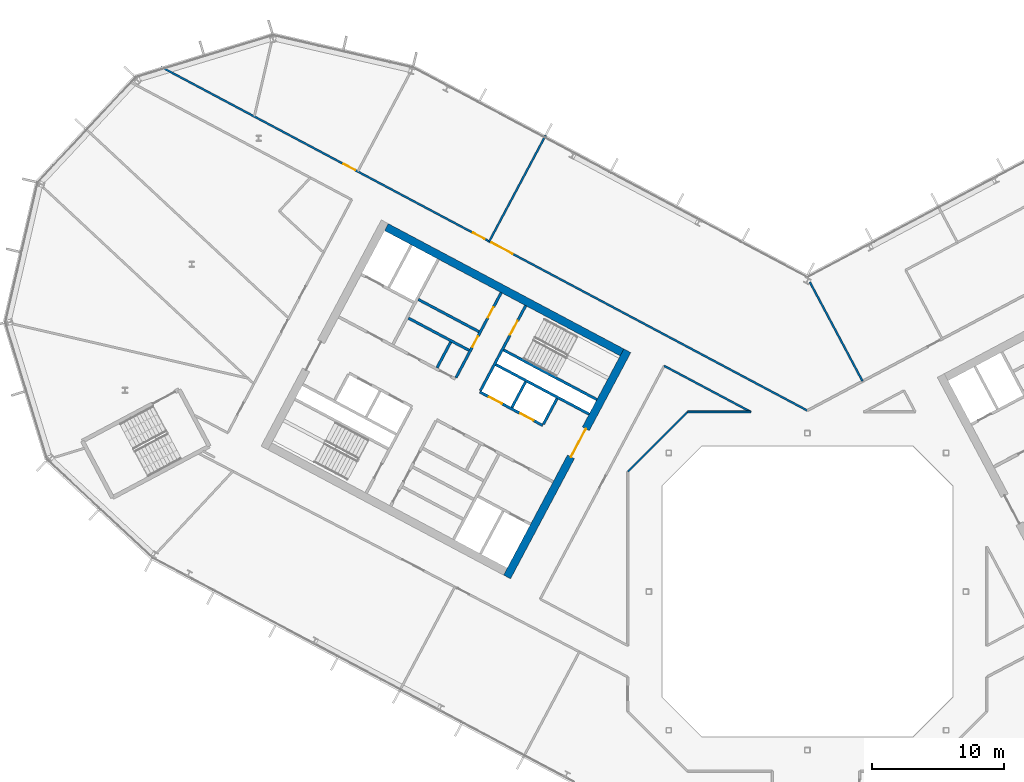
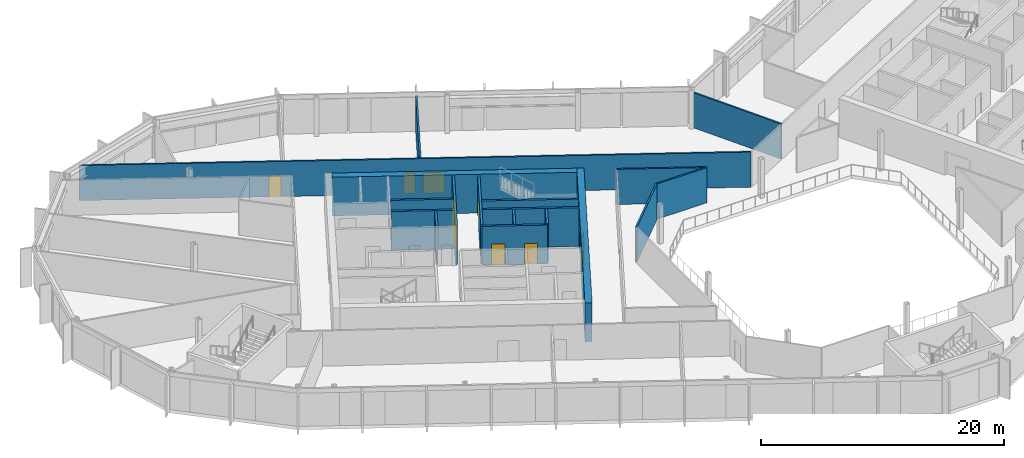
# One storey, part 14 of 26: 18 walls, 9 doors, 9 openings.
"""IFC4 building model written with IfcOpenShell, lengths in metres."""

import ifcopenshell
import ifcopenshell.guid

model = None  # the IFC model being written
_history = None  # IfcOwnerHistory: only IFC2X3 demands one
_inside = {}  # id of a spatial element -> (the spatial element, [elements in it])
_under = {}  # id of a project, library or spatial element -> (it, [spatial elements below it])
_declared = {}  # id of a project -> (the project, [libraries it declares])
_typed = {}  # id of a type object -> (the type object, [elements of that type])
_made_of = {}  # id of a material, layer set ... -> (it, [elements and type objects made of it])


def new_model(schema):
    """Start an empty IFC model of exactly this schema.

    Asked for "IFC4X3", IfcOpenShell would pick the latest addendum, in which some entities
    have other attributes; the version numbers below select the first issue.
    IFC2X3 requires an IfcOwnerHistory on every rooted entity: one is made here for all.
    """
    global model, _history
    if schema == "IFC4X3":
        model = ifcopenshell.file(schema_version=(4, 3, 0, 0))
    else:
        model = ifcopenshell.file(schema=schema)
    _inside.clear()
    _under.clear()
    _declared.clear()
    _typed.clear()
    _made_of.clear()
    _history = None
    if model.schema == "IFC2X3":
        org = make("IfcOrganization", Name="unknown")
        user = make(
            "IfcPersonAndOrganization",
            ThePerson=make("IfcPerson", FamilyName="unknown"),
            TheOrganization=org,
        )
        app = make(
            "IfcApplication",
            ApplicationDeveloper=org,
            Version="unknown",
            ApplicationFullName="unknown",
            ApplicationIdentifier="unknown",
        )
        _history = make(
            "IfcOwnerHistory",
            OwningUser=user,
            OwningApplication=app,
            ChangeAction="ADDED",
            CreationDate=0,
        )
    return model


def make(cls, **values):
    """One entity of the class cls with the attributes given. An attribute that is None is left unset."""
    return model.create_entity(
        cls, **{name: value for name, value in values.items() if value is not None}
    )


def rooted(cls, **values):
    """An entity with a GlobalId (a new one), such as an element, a storey or a relation."""
    return make(cls, GlobalId=ifcopenshell.guid.new(), OwnerHistory=_history, **values)


def si_unit(unit_type, name, prefix=None):
    """IfcSIUnit, for example si_unit("LENGTHUNIT", "METRE", prefix="MILLI")."""
    return make("IfcSIUnit", UnitType=unit_type, Prefix=prefix, Name=name)


def assignment(units):
    """IfcUnitAssignment: the units of a project."""
    return None if units is None else make("IfcUnitAssignment", Units=units)


def point(xyz):
    """IfcCartesianPoint."""
    return None if xyz is None else make("IfcCartesianPoint", Coordinates=xyz)


def direction(xyz):
    """IfcDirection."""
    return None if xyz is None else make("IfcDirection", DirectionRatios=xyz)


def frame(location, z_axis=None, x_axis=None):
    """IfcAxis2Placement3D, a coordinate frame: its origin and axes. An axis left out is left unset."""
    return make(
        "IfcAxis2Placement3D",
        Location=point(location),
        Axis=direction(z_axis),
        RefDirection=direction(x_axis),
    )


def frame_2d(location, x_axis=None):
    """IfcAxis2Placement2D, a coordinate frame in the plane: its origin and x axis."""
    return make(
        "IfcAxis2Placement2D", Location=point(location), RefDirection=direction(x_axis)
    )


def origin():
    """The frame at (0, 0, 0) with its axes left unset."""
    return frame((0.0, 0.0, 0.0))


def place(relative_to, where):
    """IfcLocalPlacement: puts the frame where relative to a parent placement (None: the world)."""
    return make(
        "IfcLocalPlacement", PlacementRelTo=relative_to, RelativePlacement=where
    )


def context(
    kind, dimensions, precision=None, world=None, true_north=None, identifier=None
):
    """IfcGeometricRepresentationContext, for example the 3D "Model" context."""
    return make(
        "IfcGeometricRepresentationContext",
        ContextIdentifier=identifier,
        ContextType=kind,
        CoordinateSpaceDimension=dimensions,
        Precision=precision,
        WorldCoordinateSystem=world,
        TrueNorth=true_north,
    )


def subcontext(parent, identifier, kind, view, scale=None):
    """IfcGeometricRepresentationSubContext, for example "Body" below "Model"."""
    return make(
        "IfcGeometricRepresentationSubContext",
        ContextIdentifier=identifier,
        ContextType=kind,
        ParentContext=parent,
        TargetScale=scale,
        TargetView=view,
    )


def project(units=None, contexts=None):
    """IfcProject with its units and contexts."""
    return rooted(
        "IfcProject",
        Name="project",
        RepresentationContexts=contexts,
        UnitsInContext=assignment(units),
    )


def spatial(cls, under=None, at=None, **own):
    """A site, building, storey or space (cls), placed at a placement, below another one or the project."""
    s = rooted(cls, ObjectPlacement=at, **own)
    if under is not None:
        _under.setdefault(under.id(), (under, []))[1].append(s)
    return s


def profile(cls, at=None, kind="AREA", **sizes):
    """A parametric profile (cls). Its sizes go by their IFC names, for example OverallWidth=200.0."""
    return make(cls, ProfileType=kind, Position=at, **sizes)


def rectangle(**sizes):
    """IfcRectangleProfileDef."""
    return profile("IfcRectangleProfileDef", **sizes)


def extrude(swept, where, along, depth):
    """IfcExtrudedAreaSolid: the profile swept, set in the frame where, extruded along a direction by depth."""
    return make(
        "IfcExtrudedAreaSolid",
        SweptArea=swept,
        Position=where,
        ExtrudedDirection=direction(along),
        Depth=depth,
    )


def shape(context_of_items, identifier, shape_type, items):
    """IfcShapeRepresentation: the items that make up one representation, for example the "Body"."""
    return make(
        "IfcShapeRepresentation",
        ContextOfItems=context_of_items,
        RepresentationIdentifier=identifier,
        RepresentationType=shape_type,
        Items=items,
    )


def material(Name=None, Category=None):
    """IfcMaterial."""
    return make("IfcMaterial", Name=Name, Category=Category)


def layer(
    of_material, thickness, ventilated=None, Name=None, Category=None, Priority=None
):
    """IfcMaterialLayer: one layer of a wall or slab, of a material (None: an air gap)."""
    return make(
        "IfcMaterialLayer",
        Material=of_material,
        LayerThickness=thickness,
        IsVentilated=ventilated,
        Name=Name,
        Category=Category,
        Priority=Priority,
    )


def layer_set(layers, Name=None):
    """IfcMaterialLayerSet."""
    return make("IfcMaterialLayerSet", MaterialLayers=layers, LayerSetName=Name)


def made_of(thing, what):
    """Note that an element or type object is made of a material, layer set ...; save() writes the relation."""
    if what is not None:
        _made_of.setdefault(what.id(), (what, []))[1].append(thing)
    return thing


def type_object(cls, material=None, **own):
    """A type object (cls), such as IfcWallType, which elements share."""
    return made_of(rooted(cls, **own), material)


def element(
    cls,
    number,
    at=None,
    inside=None,
    cuts=None,
    type_object=None,
    material=None,
    context=None,
    identifier="Body",
    shape_type=None,
    held_by="IfcProductDefinitionShape",
    body=None,
    shapes=None,
    **own,
):
    """One element of the class cls, such as IfcWall. Its Tag is "e" and its number.

    at: its placement. inside: the storey or other place that contains it. cuts: it is an
    opening in that element (IfcRelVoidsElement). A single representation is given by context,
    identifier, shape_type and body (its items); several are given by shapes. held_by: the class
    of the entity that holds the representations. save() writes the other relations.
    """
    e = rooted(cls, Tag="e%d" % number, ObjectPlacement=at, **own)
    if body is not None:
        shapes = [shape(context, identifier, shape_type, body)]
    if shapes is not None:
        e.Representation = make(held_by, Representations=shapes)
    if inside is not None:
        _inside.setdefault(inside.id(), (inside, []))[1].append(e)
    if cuts is not None:
        rooted(
            "IfcRelVoidsElement", RelatingBuildingElement=cuts, RelatedOpeningElement=e
        )
    if type_object is not None:
        _typed.setdefault(type_object.id(), (type_object, []))[1].append(e)
    return made_of(e, material)


def fill(opening, filler):
    """IfcRelFillsElement: the door or window that sits in an opening."""
    return rooted(
        "IfcRelFillsElement",
        RelatingOpeningElement=opening,
        RelatedBuildingElement=filler,
    )


def aggregate(whole, parts):
    """IfcRelAggregates: a whole, such as a stair, and the parts it consists of."""
    return rooted("IfcRelAggregates", RelatingObject=whole, RelatedObjects=parts)


def save(model, path):
    """Write the relations noted so far, then the file.

    IfcRelAggregates (storeys below a building ...), IfcRelContainedInSpatialStructure (elements
    in a storey), IfcRelDefinesByType, IfcRelAssociatesMaterial and IfcRelDeclares: one each for
    every whole, place, type object, material and project.
    """
    for whole, parts in _under.values():
        aggregate(whole, parts)
    for where, things in _inside.values():
        rooted(
            "IfcRelContainedInSpatialStructure",
            RelatedElements=things,
            RelatingStructure=where,
        )
    for kind, things in _typed.values():
        rooted("IfcRelDefinesByType", RelatedObjects=things, RelatingType=kind)
    for what, things in _made_of.values():
        rooted("IfcRelAssociatesMaterial", RelatedObjects=things, RelatingMaterial=what)
    for by, libraries in _declared.values():
        rooted("IfcRelDeclares", RelatingContext=by, RelatedDefinitions=libraries)
    model.write(path)


model = new_model("IFC4")

# Units and contexts
model_context = context("Model", 3, precision=1e-05, world=origin(), true_north=direction((0.0, 1.0)))
body_context = subcontext(model_context, "Body", "Model", "MODEL_VIEW")
ifc_project = project(units=[si_unit("LENGTHUNIT", "METRE"), si_unit("AREAUNIT", "SQUARE_METRE"), si_unit("VOLUMEUNIT", "CUBIC_METRE"), si_unit("PLANEANGLEUNIT", "RADIAN"), si_unit("MASSUNIT", "GRAM", prefix="KILO")], contexts=[model_context])

# Site, building, storey
site_placement = place(None, origin())
site = spatial("IfcSite", under=ifc_project, at=site_placement, CompositionType="ELEMENT")
building_placement = place(site_placement, origin())
building = spatial("IfcBuilding", under=site, at=building_placement, Name="Cormorant Relay Tower", CompositionType="ELEMENT")
storey_placement = place(building_placement, frame((0.0, 0.0, 220.800048828125)))
storey = spatial("IfcBuildingStorey", under=building, at=storey_placement, Name="L48", CompositionType="ELEMENT", Elevation=220.800048828125)

# Walls
ifc_material_1 = material(Name="Concrete 40 MPa", Category="concrete")
ifc_layer_1 = layer(ifc_material_1, 0.199951171875)
ifc_layer_set_1 = layer_set([ifc_layer_1], Name="Core internal wall 200")
wall_type_1 = type_object("IfcWallType", Name="Core internal wall 200", PredefinedType="SOLIDWALL", material=ifc_layer_set_1)
for number, where, z_axis, x_axis, name in (
    (1, (-21.34375, 15.87890625, 0.0), (0.0, 0.0, 1.0), (-0.4694473164, -0.882960484464, 0.0), "L48 core A shaft and room wall"),
    (2, (-27.01220703125, 18.892822265625, 0.0), (0.0, 0.0, 1.0), (-0.4694473164, -0.882960484464, 0.0), "L48 core A shaft and room wall"),
):
    element("IfcWall", number, at=place(storey_placement, frame(where, z_axis=z_axis, x_axis=x_axis)), inside=storey, type_object=wall_type_1, Name=name, PredefinedType="SOLIDWALL", context=body_context, shape_type="SweptSolid", body=[
        extrude(rectangle(XDim=2.199951171875, YDim=0.199951171875, at=frame_2d((1.10009765625, 0.0))), origin(), (0.0, 0.0, 1.0), 3.89990234375),
    ])
wall_1_placement = place(storey_placement, frame((-24.8720703125, 19.680419921875, 0.0), z_axis=(0.0, 0.0, 1.0), x_axis=(-0.882953967957, 0.469459572775, 0.0)))
element("IfcWall", 3, at=wall_1_placement, inside=storey, type_object=wall_type_1, Name="L48 core A shaft and room wall", PredefinedType="SOLIDWALL", context=body_context, shape_type="SweptSolid", body=[
    extrude(rectangle(XDim=5.199951171875, YDim=0.199951171875, at=frame_2d((2.60009765625, 0.0))), origin(), (0.0, 0.0, 1.0), 3.89990234375),
])
ifc_material_2 = material(Name="Concrete 50 MPa", Category="concrete")
ifc_layer_2 = layer(ifc_material_2, 0.199951171875)
ifc_layer_set_2 = layer_set([ifc_layer_2], Name="Core shaft wall 200")
wall_type_2 = type_object("IfcWallType", Name="Core shaft wall 200", PredefinedType="SHEAR", material=ifc_layer_set_2)
wall_2_placement = place(storey_placement, frame((-18.959716796875, 14.611328125, 0.0), z_axis=(0.0, 0.0, 1.0), x_axis=(-0.4694473164, -0.882960484464, 0.0)))
element("IfcWall", 4, at=wall_2_placement, inside=storey, type_object=wall_type_2, Name="L48 core A shaft wall", PredefinedType="SHEAR", context=body_context, shape_type="SweptSolid", body=[
    extrude(rectangle(XDim=2.199951171875, YDim=0.199951171875, at=frame_2d((1.10009765625, 0.0))), origin(), (0.0, 0.0, 1.0), 3.89990234375),
])

# Wall, opening, door
wall_3_placement = place(storey_placement, frame((-21.333251953125, 21.6494140625, 0.0), z_axis=(0.0, 0.0, 1.0), x_axis=(-0.469494272526, -0.882935517501, 0.0)))
wall_3 = element("IfcWall", 5, at=wall_3_placement, inside=storey, type_object=wall_type_2, Name="L48 core A shaft wall", PredefinedType="SHEAR", context=body_context, shape_type="SweptSolid", body=[
    extrude(rectangle(XDim=7.2998046875, YDim=0.199951171875, at=frame_2d((3.64990234375, 0.0))), origin(), (0.0, 0.0, 1.0), 3.89990234375),
])
opening_1_placement = place(wall_3_placement, frame((1.300048828125, 0.0, 0.0)))
opening_1 = element("IfcOpeningElement", 6, at=opening_1_placement, cuts=wall_3, Name="Opening CDB-038", PredefinedType="OPENING", context=body_context, shape_type="SweptSolid", body=[
    extrude(rectangle(XDim=1.199951171875, YDim=2.10009765625, at=frame_2d((0.60009765625, 1.050048828125))), frame((0.0, 0.10986328125, 0.0), z_axis=(0.0, -1.0, 0.0), x_axis=(1.0, 0.0, 0.0)), (0.0, 0.0, 1.0), 0.219970703125),
])
ifc_material_3 = material(Name="Steel fire door", Category="steel")
door_type_1 = type_object("IfcDoorType", Name="Core stair door 1200x2100", OperationType="SINGLE_SWING_LEFT", PredefinedType="DOOR", material=ifc_material_3)
door_1_placement = place(opening_1_placement, origin())
door_1 = element("IfcDoor", 7, at=door_1_placement, inside=storey, type_object=door_type_1, Name="Core stair door 1200x2100", OperationType="SINGLE_SWING_RIGHT", OverallHeight=2.10009765625, OverallWidth=1.199951171875, PredefinedType="DOOR", context=body_context, shape_type="SweptSolid", body=[
    extrude(rectangle(XDim=1.199951171875, YDim=2.10009765625, at=frame_2d((0.60009765625, 1.050048828125))), frame((0.0, 0.02490234375, 0.0), z_axis=(0.0, -1.0, 0.0), x_axis=(1.0, 0.0, 0.0)), (0.0, 0.0, 1.0), 0.050048828125),
])
fill(opening_1, door_1)

# Wall, openings, doors
wall_4_placement = place(storey_placement, frame((-23.1875, 22.635498046875, 0.0), z_axis=(0.0, 0.0, 1.0), x_axis=(-0.469454336211, -0.882956752176, 0.0)))
wall_4 = element("IfcWall", 8, at=wall_4_placement, inside=storey, type_object=wall_type_2, Name="L48 core A shaft wall", PredefinedType="SHEAR", context=body_context, shape_type="SweptSolid", body=[
    extrude(rectangle(XDim=7.300048828125, YDim=0.199951171875, at=frame_2d((3.64990234375, 0.0))), origin(), (0.0, 0.0, 1.0), 3.89990234375),
])
opening_2_placement = place(wall_4_placement, frame((1.25, 0.0, 0.0)))
opening_2 = element("IfcOpeningElement", 9, at=opening_2_placement, cuts=wall_4, Name="Opening CDD-271", PredefinedType="OPENING", context=body_context, shape_type="SweptSolid", body=[
    extrude(rectangle(XDim=0.89990234375, YDim=2.10009765625, at=frame_2d((0.449951171875, 1.050048828125))), frame((0.0, 0.10986328125, 0.0), z_axis=(0.0, -1.0, 0.0), x_axis=(1.0, 0.0, 0.0)), (0.0, 0.0, 1.0), 0.219970703125),
])
opening_3_placement = place(wall_4_placement, frame((3.75, 0.0, 0.0)))
opening_3 = element("IfcOpeningElement", 10, at=opening_3_placement, cuts=wall_4, Name="Opening CDD-240", PredefinedType="OPENING", context=body_context, shape_type="SweptSolid", body=[
    extrude(rectangle(XDim=0.89990234375, YDim=2.10009765625, at=frame_2d((0.449951171875, 1.050048828125))), frame((0.0, 0.10986328125, 0.0), z_axis=(0.0, -1.0, 0.0), x_axis=(1.0, 0.0, 0.0)), (0.0, 0.0, 1.0), 0.219970703125),
])
ifc_material_4 = material(Name="Steel fire door", Category="steel")
door_type_2 = type_object("IfcDoorType", Name="Core room door 900x2100", OperationType="SINGLE_SWING_LEFT", PredefinedType="DOOR", material=ifc_material_4)
door_2_placement = place(opening_2_placement, origin())
door_2 = element("IfcDoor", 11, at=door_2_placement, inside=storey, type_object=door_type_2, Name="Core room door 900x2100", OperationType="SINGLE_SWING_LEFT", OverallHeight=2.10009765625, OverallWidth=0.89990234375, PredefinedType="DOOR", context=body_context, shape_type="SweptSolid", body=[
    extrude(rectangle(XDim=0.89990234375, YDim=2.10009765625, at=frame_2d((0.449951171875, 1.050048828125))), frame((0.0, 0.02490234375, 0.0), z_axis=(0.0, -1.0, 0.0), x_axis=(1.0, 0.0, 0.0)), (0.0, 0.0, 1.0), 0.050048828125),
])
fill(opening_2, door_2)
door_3_placement = place(opening_3_placement, frame((0.89990234375, 0.0, 0.0), z_axis=(0.0, 0.0, 1.0), x_axis=(-1.0, 0.0, 0.0)))
door_3 = element("IfcDoor", 12, at=door_3_placement, inside=storey, type_object=door_type_2, Name="Core room door 900x2100", OperationType="SINGLE_SWING_RIGHT", OverallHeight=2.10009765625, OverallWidth=0.89990234375, PredefinedType="DOOR", context=body_context, shape_type="SweptSolid", body=[
    extrude(rectangle(XDim=0.89990234375, YDim=2.10009765625, at=frame_2d((0.449951171875, 1.050048828125))), frame((0.0, 0.02490234375, 0.0), z_axis=(0.0, -1.0, 0.0), x_axis=(1.0, 0.0, 0.0)), (0.0, 0.0, 1.0), 0.050048828125),
])
fill(opening_3, door_3)

# Walls
wall_5_placement = place(storey_placement, frame((-15.94189453125, 14.53564453125, 0.0), z_axis=(0.0, 0.0, 1.0), x_axis=(-0.882946947542, 0.469472776449, 0.0)))
element("IfcWall", 13, at=wall_5_placement, inside=storey, type_object=wall_type_2, Name="L48 core A shaft wall", PredefinedType="SHEAR", context=body_context, shape_type="SweptSolid", body=[
    extrude(rectangle(XDim=8.000244140625, YDim=0.199951171875, at=frame_2d((4.0, 0.0))), origin(), (0.0, 0.0, 1.0), 3.89990234375),
])
wall_6_placement = place(storey_placement, frame((-16.52880859375, 13.43212890625, 0.0), z_axis=(0.0, 0.0, 1.0), x_axis=(-0.88295287151, 0.469461634952, 0.0)))
element("IfcWall", 14, at=wall_6_placement, inside=storey, type_object=wall_type_2, Name="L48 core A shaft wall", PredefinedType="SHEAR", context=body_context, shape_type="SweptSolid", body=[
    extrude(rectangle(XDim=7.999755859375, YDim=0.199951171875, at=frame_2d((4.0, 0.0))), origin(), (0.0, 0.0, 1.0), 3.89990234375),
])
wall_7_placement = place(storey_placement, frame((-25.623046875, 18.267578125, 0.0), z_axis=(0.0, 0.0, 1.0), x_axis=(-0.882953967957, 0.469459572775, 0.0)))
element("IfcWall", 15, at=wall_7_placement, inside=storey, type_object=wall_type_2, Name="L48 core A shaft wall", PredefinedType="SHEAR", context=body_context, shape_type="SweptSolid", body=[
    extrude(rectangle(XDim=5.199951171875, YDim=0.199951171875, at=frame_2d((2.60009765625, 0.0))), origin(), (0.0, 0.0, 1.0), 3.89990234375),
])

# Wall, openings, doors
wall_8_placement = place(storey_placement, frame((-20.03955078125, 12.58056640625, 0.0), z_axis=(0.0, 0.0, 1.0), x_axis=(-0.882942972946, 0.469480251476, 0.0)))
wall_8 = element("IfcWall", 16, at=wall_8_placement, inside=storey, type_object=wall_type_2, Name="L48 core A shaft wall", PredefinedType="SHEAR", context=body_context, shape_type="SweptSolid", body=[
    extrude(rectangle(XDim=5.39990234375, YDim=0.199951171875, at=frame_2d((2.699951171875, 0.0))), origin(), (0.0, 0.0, 1.0), 3.89990234375),
])
opening_4_placement = place(wall_8_placement, frame((0.800048828125, 0.0, 0.0)))
opening_4 = element("IfcOpeningElement", 17, at=opening_4_placement, cuts=wall_8, Name="Opening LD1-061", PredefinedType="OPENING", context=body_context, shape_type="SweptSolid", body=[
    extrude(rectangle(XDim=1.10009765625, YDim=2.10009765625, at=frame_2d((0.550048828125, 1.050048828125))), frame((0.0, 0.10986328125, 0.0), z_axis=(0.0, -1.0, 0.0), x_axis=(1.0, 0.0, 0.0)), (0.0, 0.0, 1.0), 0.219970703125),
])
opening_5_placement = place(wall_8_placement, frame((3.5, 0.0, 0.0)))
opening_5 = element("IfcOpeningElement", 18, at=opening_5_placement, cuts=wall_8, Name="Opening LD1-062", PredefinedType="OPENING", context=body_context, shape_type="SweptSolid", body=[
    extrude(rectangle(XDim=1.10009765625, YDim=2.10009765625, at=frame_2d((0.550048828125, 1.050048828125))), frame((0.0, 0.10986328125, 0.0), z_axis=(0.0, -1.0, 0.0), x_axis=(1.0, 0.0, 0.0)), (0.0, 0.0, 1.0), 0.219970703125),
])
ifc_material_5 = material(Name="Stainless steel 316", Category="steel")
door_type_3 = type_object("IfcDoorType", Name="Lift landing door 1100x2100", OperationType="DOUBLE_DOOR_SLIDING", PredefinedType="DOOR", material=ifc_material_5)
door_4_placement = place(opening_4_placement, origin())
door_4 = element("IfcDoor", 19, at=door_4_placement, inside=storey, type_object=door_type_3, Name="MR3 landing door", OperationType="DOUBLE_DOOR_SLIDING", OverallHeight=2.10009765625, OverallWidth=1.10009765625, PredefinedType="DOOR", context=body_context, shape_type="SweptSolid", body=[
    extrude(rectangle(XDim=1.10009765625, YDim=2.10009765625, at=frame_2d((0.550048828125, 1.050048828125))), frame((0.0, 0.02490234375, 0.0), z_axis=(0.0, -1.0, 0.0), x_axis=(1.0, 0.0, 0.0)), (0.0, 0.0, 1.0), 0.050048828125),
])
fill(opening_4, door_4)
door_5_placement = place(opening_5_placement, origin())
door_5 = element("IfcDoor", 20, at=door_5_placement, inside=storey, type_object=door_type_3, Name="MR4 landing door", OperationType="DOUBLE_DOOR_SLIDING", OverallHeight=2.10009765625, OverallWidth=1.10009765625, PredefinedType="DOOR", context=body_context, shape_type="SweptSolid", body=[
    extrude(rectangle(XDim=1.10009765625, YDim=2.10009765625, at=frame_2d((0.550048828125, 1.050048828125))), frame((0.0, 0.02490234375, 0.0), z_axis=(0.0, -1.0, 0.0), x_axis=(1.0, 0.0, 0.0)), (0.0, 0.0, 1.0), 0.050048828125),
])
fill(opening_5, door_5)

# Wall, opening, door
ifc_material_6 = material(Name="Concrete 50 MPa", Category="concrete")
ifc_layer_3 = layer(ifc_material_6, 0.60009765625)
ifc_layer_set_3 = layer_set([ifc_layer_3], Name="Core wall 600")
wall_type_3 = type_object("IfcWallType", Name="Core wall 600", PredefinedType="SHEAR", material=ifc_layer_set_3)
wall_9_placement = place(storey_placement, frame((-13.634765625, 18.235595703125, 0.0), z_axis=(0.0, 0.0, 1.0), x_axis=(-0.469478769487, -0.88294376095, 0.0)))
wall_9 = element("IfcWall", 21, at=wall_9_placement, inside=storey, type_object=wall_type_3, Name="L48 core A wall", PredefinedType="SHEAR", context=body_context, shape_type="SweptSolid", body=[
    extrude(rectangle(XDim=19.400146484375, YDim=0.60009765625, at=frame_2d((9.7001953125, 0.0))), origin(), (0.0, 0.0, 1.0), 3.89990234375),
])
opening_6_placement = place(wall_9_placement, frame((6.699951171875, 0.0, 0.0)))
opening_6 = element("IfcOpeningElement", 22, at=opening_6_placement, cuts=wall_9, Name="Opening CDA-040", PredefinedType="OPENING", context=body_context, shape_type="SweptSolid", body=[
    extrude(rectangle(XDim=2.39990234375, YDim=2.39990234375, at=frame_2d((1.199951171875, 1.199951171875))), frame((0.0, 0.31005859375, 0.0), z_axis=(0.0, -1.0, 0.0), x_axis=(1.0, 0.0, 0.0)), (0.0, 0.0, 1.0), 0.6201171875),
])
ifc_material_7 = material(Name="Steel fire door", Category="steel")
door_type_4 = type_object("IfcDoorType", Name="Core lobby door 2400x2400", OperationType="DOUBLE_DOOR_SINGLE_SWING", PredefinedType="DOOR", material=ifc_material_7)
door_6_placement = place(opening_6_placement, frame((2.39990234375, 0.0, 0.0), z_axis=(0.0, 0.0, 1.0), x_axis=(-1.0, 0.0, 0.0)))
door_6 = element("IfcDoor", 23, at=door_6_placement, inside=storey, type_object=door_type_4, Name="Core lobby door 2400x2400", OperationType="DOUBLE_DOOR_SINGLE_SWING", OverallHeight=2.39990234375, OverallWidth=2.39990234375, PredefinedType="DOOR", context=body_context, shape_type="SweptSolid", body=[
    extrude(rectangle(XDim=2.39990234375, YDim=2.39990234375, at=frame_2d((1.199951171875, 1.199951171875))), frame((0.0, 0.02490234375, 0.0), z_axis=(0.0, -1.0, 0.0), x_axis=(1.0, 0.0, 0.0)), (0.0, 0.0, 1.0), 0.050048828125),
])
fill(opening_6, door_6)

# Wall
wall_10_placement = place(storey_placement, frame((-14.04052734375, 18.111572265625, 0.0), z_axis=(0.0, 0.0, 1.0), x_axis=(-0.882947755831, 0.46947125628, 0.0)))
element("IfcWall", 24, at=wall_10_placement, inside=storey, type_object=wall_type_3, Name="L48 core A wall", PredefinedType="SHEAR", context=body_context, shape_type="SweptSolid", body=[
    extrude(rectangle(XDim=20.2001953125, YDim=0.60009765625, at=frame_2d((10.10009765625, 0.0))), origin(), (0.0, 0.0, 1.0), 3.89990234375),
])

# Wall, openings, doors
ifc_material_8 = material(Name="Gypsum board fire partition")
ifc_layer_4 = layer(ifc_material_8, 0.14990234375)
ifc_layer_set_4 = layer_set([ifc_layer_4], Name="Corridor partition 150 EI 60")
wall_type_4 = type_object("IfcWallType", Name="Corridor partition 150 EI 60", PredefinedType="PARTITIONING", material=ifc_layer_set_4)
wall_11_placement = place(storey_placement, frame((-48.947021484375, 39.72998046875, 0.0), z_axis=(0.0, 0.0, 1.0), x_axis=(0.882945454821, -0.469475583828, 0.0)))
wall_11 = element("IfcWall", 25, at=wall_11_placement, inside=storey, type_object=wall_type_4, Name="wall/L48/part/011", PredefinedType="PARTITIONING", context=body_context, shape_type="SweptSolid", body=[
    extrude(rectangle(XDim=55.43603515625, YDim=0.14990234375, at=frame_2d((27.718017578125, 0.0))), origin(), (0.0, 0.0, 1.0), 3.5400390625),
])
opening_7_placement = place(wall_11_placement, frame((28.35009765625, 0.0, 0.0)))
opening_7 = element("IfcOpeningElement", 26, at=opening_7_placement, cuts=wall_11, Name="Opening DD-027", PredefinedType="OPENING", context=body_context, shape_type="SweptSolid", body=[
    extrude(rectangle(XDim=1.800048828125, YDim=2.10009765625, at=frame_2d((0.89990234375, 1.050048828125))), frame((0.0, 0.0849609375, 0.0), z_axis=(0.0, -1.0, 0.0), x_axis=(1.0, 0.0, 0.0)), (0.0, 0.0, 1.0), 0.169921875),
])
opening_8_placement = place(wall_11_placement, frame((26.75, 0.0, 0.0)))
opening_8 = element("IfcOpeningElement", 27, at=opening_8_placement, cuts=wall_11, Name="Opening DS-148", PredefinedType="OPENING", context=body_context, shape_type="SweptSolid", body=[
    extrude(rectangle(XDim=1.0, YDim=2.10009765625, at=frame_2d((0.5, 1.050048828125))), frame((0.0, 0.0849609375, 0.0), z_axis=(0.0, -1.0, 0.0), x_axis=(1.0, 0.0, 0.0)), (0.0, 0.0, 1.0), 0.169921875),
])
opening_9_placement = place(wall_11_placement, frame((15.64990234375, 0.0, 0.0)))
opening_9 = element("IfcOpeningElement", 28, at=opening_9_placement, cuts=wall_11, Name="Opening DS-149", PredefinedType="OPENING", context=body_context, shape_type="SweptSolid", body=[
    extrude(rectangle(XDim=1.0, YDim=2.10009765625, at=frame_2d((0.5, 1.050048828125))), frame((0.0, 0.0849609375, 0.0), z_axis=(0.0, -1.0, 0.0), x_axis=(1.0, 0.0, 0.0)), (0.0, 0.0, 1.0), 0.169921875),
])
ifc_material_9 = material(Name="Timber door leaf", Category="wood")
door_type_5 = type_object("IfcDoorType", Name="Suite door 1000x2100", OperationType="SINGLE_SWING_LEFT", PredefinedType="DOOR", material=ifc_material_9)
door_7_placement = place(opening_8_placement, origin())
door_7 = element("IfcDoor", 29, at=door_7_placement, inside=storey, type_object=door_type_5, Name="door/L48/014", OperationType="SINGLE_SWING_RIGHT", OverallHeight=2.10009765625, OverallWidth=1.0, PredefinedType="DOOR", context=body_context, shape_type="SweptSolid", body=[
    extrude(rectangle(XDim=1.0, YDim=2.10009765625, at=frame_2d((0.5, 1.050048828125))), frame((0.0, 0.02490234375, 0.0), z_axis=(0.0, -1.0, 0.0), x_axis=(1.0, 0.0, 0.0)), (0.0, 0.0, 1.0), 0.050048828125),
])
fill(opening_8, door_7)
door_8_placement = place(opening_9_placement, origin())
door_8 = element("IfcDoor", 30, at=door_8_placement, inside=storey, type_object=door_type_5, Name="door/L48/015", OperationType="SINGLE_SWING_RIGHT", OverallHeight=2.10009765625, OverallWidth=1.0, PredefinedType="DOOR", context=body_context, shape_type="SweptSolid", body=[
    extrude(rectangle(XDim=1.0, YDim=2.10009765625, at=frame_2d((0.5, 1.050048828125))), frame((0.0, 0.02490234375, 0.0), z_axis=(0.0, -1.0, 0.0), x_axis=(1.0, 0.0, 0.0)), (0.0, 0.0, 1.0), 0.050048828125),
])
fill(opening_9, door_8)
ifc_material_10 = material(Name="Timber door leaf", Category="wood")
door_type_6 = type_object("IfcDoorType", Name="Suite double door 1800x2100", OperationType="DOUBLE_DOOR_SINGLE_SWING", PredefinedType="DOOR", material=ifc_material_10)
door_9_placement = place(opening_7_placement, origin())
door_9 = element("IfcDoor", 31, at=door_9_placement, inside=storey, type_object=door_type_6, Name="door/L48/013", OperationType="DOUBLE_DOOR_SINGLE_SWING", OverallHeight=2.10009765625, OverallWidth=1.800048828125, PredefinedType="DOOR", context=body_context, shape_type="SweptSolid", body=[
    extrude(rectangle(XDim=1.800048828125, YDim=2.10009765625, at=frame_2d((0.89990234375, 1.050048828125))), frame((0.0, 0.02490234375, 0.0), z_axis=(0.0, -1.0, 0.0), x_axis=(1.0, 0.0, 0.0)), (0.0, 0.0, 1.0), 0.050048828125),
])
fill(opening_7, door_9)

# Walls
wall_12_placement = place(storey_placement, frame((-10.844970703125, 17.092041015625, 0.0), z_axis=(0.0, 0.0, 1.0), x_axis=(0.882961838763, -0.469444769156, 0.0)))
element("IfcWall", 32, at=wall_12_placement, inside=storey, type_object=wall_type_4, Name="wall/L48/part/044", PredefinedType="PARTITIONING", context=body_context, shape_type="SweptSolid", body=[
    extrude(rectangle(XDim=7.4384765625, YDim=0.14990234375, at=frame_2d((3.71923828125, 0.0))), origin(), (0.0, 0.0, 1.0), 3.5400390625),
])
wall_13_placement = place(storey_placement, frame((-4.277099609375, 13.60009765625, 0.0), z_axis=(0.0, 0.0, 1.0), x_axis=(-1.0, 0.0, 0.0)))
element("IfcWall", 33, at=wall_13_placement, inside=storey, type_object=wall_type_4, Name="wall/L48/part/045", PredefinedType="PARTITIONING", context=body_context, shape_type="SweptSolid", body=[
    extrude(rectangle(XDim=4.7998046875, YDim=0.14990234375, at=frame_2d((2.39990234375, 0.0))), origin(), (0.0, 0.0, 1.0), 3.5400390625),
])
wall_14_placement = place(storey_placement, frame((-9.076904296875, 13.60009765625, 0.0), z_axis=(0.0, 0.0, 1.0), x_axis=(-0.707106781187, -0.707106781187, 0.0)))
element("IfcWall", 34, at=wall_14_placement, inside=storey, type_object=wall_type_4, Name="wall/L48/part/046", PredefinedType="PARTITIONING", context=body_context, shape_type="SweptSolid", body=[
    extrude(rectangle(XDim=6.396728515625, YDim=0.14990234375, at=frame_2d((3.1982421875, 0.0))), origin(), (0.0, 0.0, 1.0), 3.5400390625),
])
ifc_material_11 = material(Name="Gypsum board partition")
ifc_layer_5 = layer(ifc_material_11, 0.14990234375)
ifc_layer_set_5 = layer_set([ifc_layer_5], Name="Tenant partition 150")
wall_type_5 = type_object("IfcWallType", Name="Tenant partition 150", PredefinedType="PARTITIONING", material=ifc_layer_set_5)
wall_15_placement = place(storey_placement, frame((-19.822021484375, 34.550048828125, 0.0), z_axis=(0.0, 0.0, 1.0), x_axis=(-0.46943766298, -0.882965616871, 0.0)))
element("IfcWall", 35, at=wall_15_placement, inside=storey, type_object=wall_type_5, Name="wall/L48/part/021", PredefinedType="PARTITIONING", context=body_context, shape_type="SweptSolid", body=[
    extrude(rectangle(XDim=9.10009765625, YDim=0.14990234375, at=frame_2d((4.550048828125, 0.0))), origin(), (0.0, 0.0, 1.0), 3.5400390625),
])
wall_16_placement = place(storey_placement, frame((0.18310546875, 23.43994140625, 0.0), z_axis=(0.0, 0.0, 1.0), x_axis=(0.46943977652, -0.882964493183, 0.0)))
element("IfcWall", 36, at=wall_16_placement, inside=storey, type_object=wall_type_5, Name="wall/L48/part/022", PredefinedType="PARTITIONING", context=body_context, shape_type="SweptSolid", body=[
    extrude(rectangle(XDim=8.509765625, YDim=0.14990234375, at=frame_2d((4.2548828125, 0.0))), origin(), (0.0, 0.0, 1.0), 3.5400390625),
])

save(model, "model.ifc")
